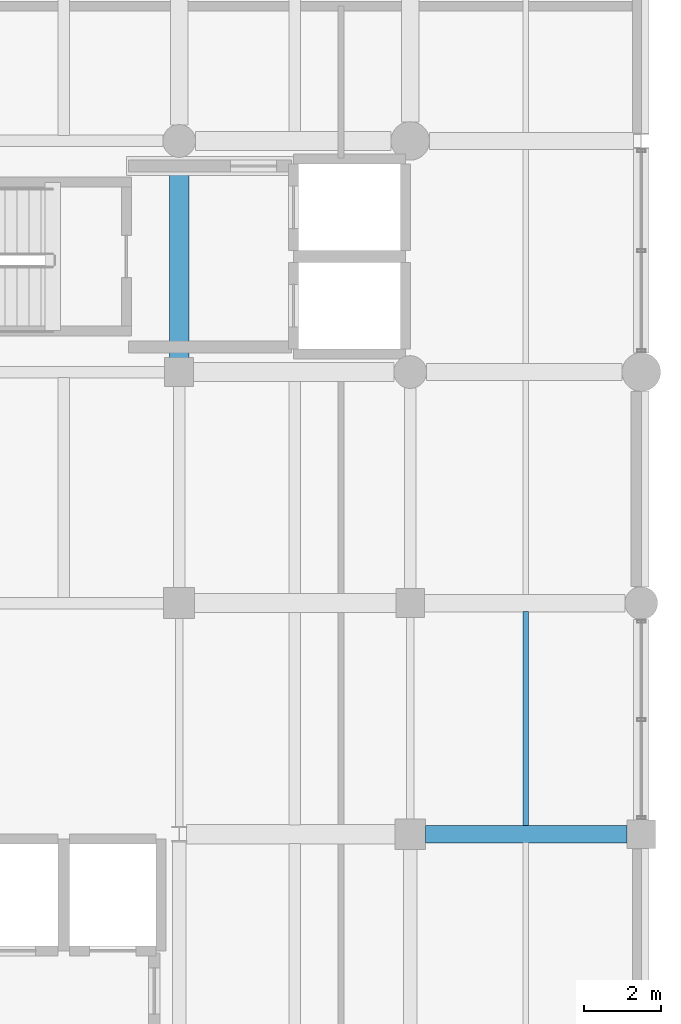
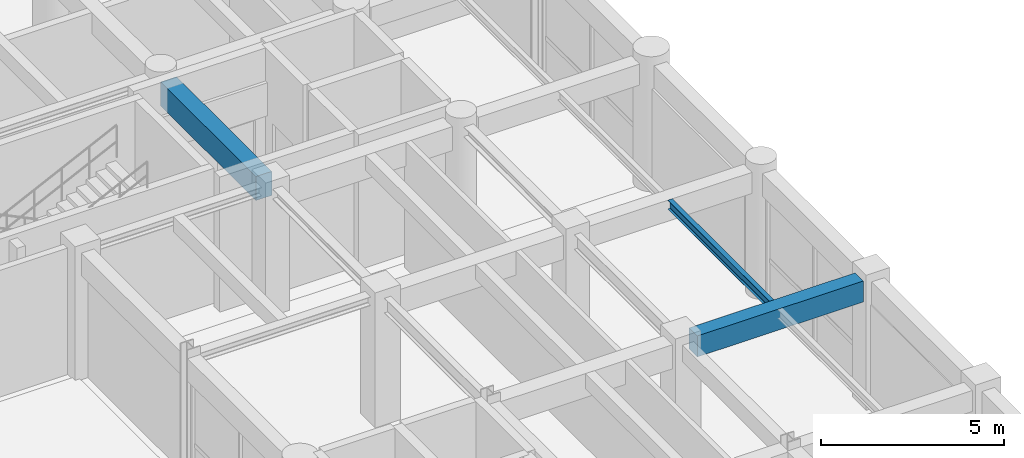
# One storey, part 83 of 133: 3 beams.
"""IFC4 building model written with IfcOpenShell, lengths in metres."""

from ifc_helpers import new_model, si_unit, direction, frame, origin, origin_2d, place, context, subcontext, project, spatial, rectangle, i_section, extrude, material, material_profile, profile_set, type_object, element, save


model = new_model("IFC4")

# Units and contexts
model_context = context("Model", 3, precision=1e-05, world=origin(), true_north=direction((0.0, 1.0)))
body_context = subcontext(model_context, "Body", "Model", "MODEL_VIEW")
ifc_project = project(units=[si_unit("LENGTHUNIT", "METRE"), si_unit("AREAUNIT", "SQUARE_METRE"), si_unit("VOLUMEUNIT", "CUBIC_METRE"), si_unit("PLANEANGLEUNIT", "RADIAN"), si_unit("MASSUNIT", "GRAM", prefix="KILO"), si_unit("THERMODYNAMICTEMPERATUREUNIT", "KELVIN"), si_unit("POWERUNIT", "WATT")], contexts=[model_context])

# Site, building, storey
site_placement = place(None, origin())
site = spatial("IfcSite", under=ifc_project, at=site_placement, CompositionType="ELEMENT")
building_placement = place(site_placement, origin())
building = spatial("IfcBuilding", under=site, at=building_placement, Name="Phaisarnlok Congress Hotel", CompositionType="ELEMENT")
storey_placement = place(building_placement, frame((0.0, 0.0, 6.0)))
storey = spatial("IfcBuildingStorey", under=building, at=storey_placement, Name="L01", CompositionType="ELEMENT", Elevation=6.0)

# Beams
ifc_material_1 = material(Name="Concrete C40/50", Category="concrete")
ifc_material_profile_1 = material_profile(ifc_material_1, rectangle(XDim=0.449951171875, YDim=0.699951171875, at=origin_2d()), Name="RC 450x700")
ifc_profile_set_1 = profile_set([ifc_material_profile_1], Name="Concrete C40/50")
beam_type_1 = type_object("IfcBeamType", Name="BM-RC-450x700", PredefinedType="BEAM", material=ifc_profile_set_1)
beam_1_placement = place(storey_placement, frame((174.39501953125, 96.0, 3.8701171875), z_axis=(1.0, 0.0, 0.0), x_axis=(0.0, 1.0, 0.0)))
element("IfcBeam", 1, at=beam_1_placement, inside=storey, type_object=beam_type_1, Name="Beam B-03", PredefinedType="BEAM", context=body_context, shape_type="SweptSolid", body=[
    extrude(rectangle(XDim=0.449951171875, YDim=0.699951171875, at=origin_2d()), origin(), (0.0, 0.0, 1.0), 5.23486328125),
])
ifc_material_profile_2 = material_profile(ifc_material_1, rectangle(XDim=0.5, YDim=0.800048828125, at=origin_2d()), Name="RC 500x800")
ifc_profile_set_2 = profile_set([ifc_material_profile_2], Name="Concrete C40/50")
beam_type_2 = type_object("IfcBeamType", Name="BM-RC-500x800", PredefinedType="BEAM", material=ifc_profile_set_2)
beam_2_placement = place(storey_placement, frame((168.0, 108.3701171875, 3.820068359375), z_axis=(0.0, 1.0, 0.0), x_axis=(-1.0, 0.0, 0.0)))
element("IfcBeam", 2, at=beam_2_placement, inside=storey, type_object=beam_type_2, Name="Beam B-04", PredefinedType="BEAM", context=body_context, shape_type="SweptSolid", body=[
    extrude(rectangle(XDim=0.5, YDim=0.800048828125, at=origin_2d()), origin(), (0.0, 0.0, 1.0), 5.2099609375),
])
ifc_material_2 = material(Name="Steel S355", Category="steel")
ifc_material_profile_3 = material_profile(ifc_material_2, i_section(OverallWidth=0.14990234375, OverallDepth=0.300048828125, WebThickness=0.007080078125, FlangeThickness=0.0107421875, FilletRadius=0.014892578125, at=origin_2d()), Name="IPE 300")
ifc_profile_set_3 = profile_set([ifc_material_profile_3], Name="Steel S355")
beam_type_3 = type_object("IfcBeamType", Name="JS-STL-IPE300", PredefinedType="JOIST", material=ifc_profile_set_3)
beam_3_placement = place(storey_placement, frame((177.0, 96.219970703125, 4.070068359375), z_axis=(0.0, 1.0, 0.0), x_axis=(-1.0, 0.0, 0.0)))
element("IfcBeam", 3, at=beam_3_placement, inside=storey, type_object=beam_type_3, Name="Secondary floor joist J-03", PredefinedType="JOIST", context=body_context, shape_type="SweptSolid", body=[
    extrude(i_section(OverallWidth=0.14990234375, OverallDepth=0.300048828125, WebThickness=0.007080078125, FlangeThickness=0.0107421875, FilletRadius=0.014892578125, at=origin_2d()), origin(), (0.0, 0.0, 1.0), 5.56005859375),
])

save(model, "model.ifc")
